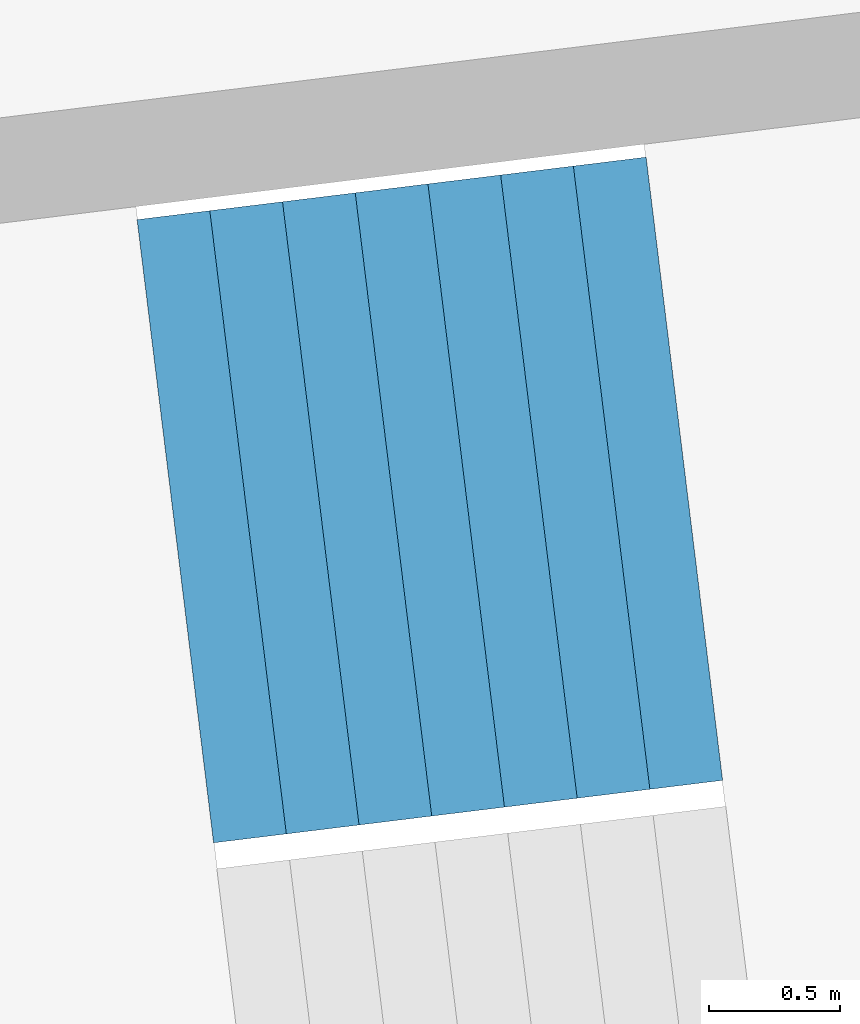
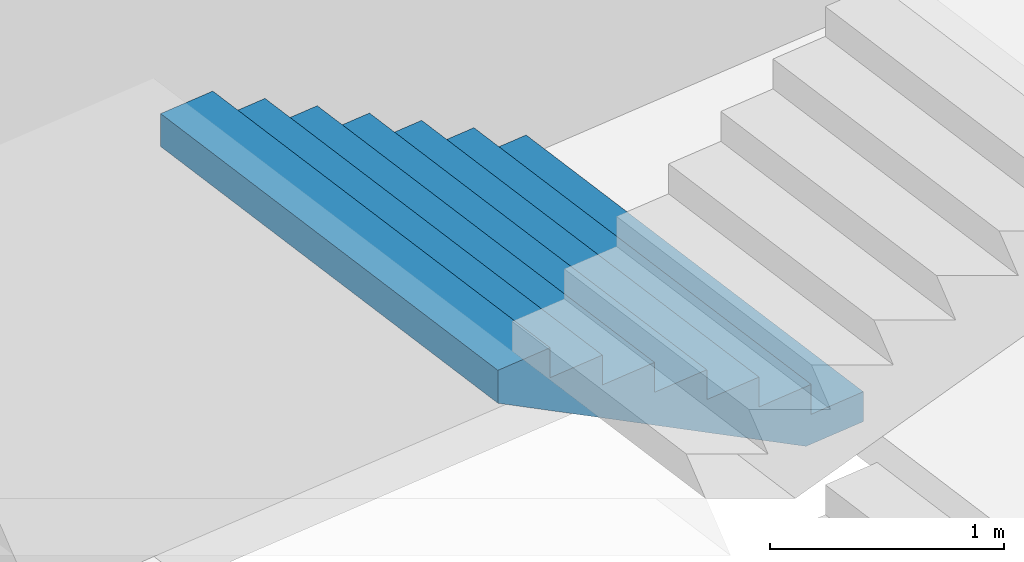
# One storey, part 59 of 73: 1 stair flight, 1 element without a shape of its own.
"""IFC4 building model written with IfcOpenShell, lengths in metres."""

import ifcopenshell
import ifcopenshell.guid

model = None  # the IFC model being written
_history = None  # IfcOwnerHistory: only IFC2X3 demands one
_inside = {}  # id of a spatial element -> (the spatial element, [elements in it])
_under = {}  # id of a project, library or spatial element -> (it, [spatial elements below it])
_declared = {}  # id of a project -> (the project, [libraries it declares])
_typed = {}  # id of a type object -> (the type object, [elements of that type])
_made_of = {}  # id of a material, layer set ... -> (it, [elements and type objects made of it])


def new_model(schema):
    """Start an empty IFC model of exactly this schema.

    Asked for "IFC4X3", IfcOpenShell would pick the latest addendum, in which some entities
    have other attributes; the version numbers below select the first issue.
    IFC2X3 requires an IfcOwnerHistory on every rooted entity: one is made here for all.
    """
    global model, _history
    if schema == "IFC4X3":
        model = ifcopenshell.file(schema_version=(4, 3, 0, 0))
    else:
        model = ifcopenshell.file(schema=schema)
    _inside.clear()
    _under.clear()
    _declared.clear()
    _typed.clear()
    _made_of.clear()
    _history = None
    if model.schema == "IFC2X3":
        org = make("IfcOrganization", Name="unknown")
        user = make(
            "IfcPersonAndOrganization",
            ThePerson=make("IfcPerson", FamilyName="unknown"),
            TheOrganization=org,
        )
        app = make(
            "IfcApplication",
            ApplicationDeveloper=org,
            Version="unknown",
            ApplicationFullName="unknown",
            ApplicationIdentifier="unknown",
        )
        _history = make(
            "IfcOwnerHistory",
            OwningUser=user,
            OwningApplication=app,
            ChangeAction="ADDED",
            CreationDate=0,
        )
    return model


def make(cls, **values):
    """One entity of the class cls with the attributes given. An attribute that is None is left unset."""
    return model.create_entity(
        cls, **{name: value for name, value in values.items() if value is not None}
    )


def rooted(cls, **values):
    """An entity with a GlobalId (a new one), such as an element, a storey or a relation."""
    return make(cls, GlobalId=ifcopenshell.guid.new(), OwnerHistory=_history, **values)


def si_unit(unit_type, name, prefix=None):
    """IfcSIUnit, for example si_unit("LENGTHUNIT", "METRE", prefix="MILLI")."""
    return make("IfcSIUnit", UnitType=unit_type, Prefix=prefix, Name=name)


def assignment(units):
    """IfcUnitAssignment: the units of a project."""
    return None if units is None else make("IfcUnitAssignment", Units=units)


def point(xyz):
    """IfcCartesianPoint."""
    return None if xyz is None else make("IfcCartesianPoint", Coordinates=xyz)


def direction(xyz):
    """IfcDirection."""
    return None if xyz is None else make("IfcDirection", DirectionRatios=xyz)


def frame(location, z_axis=None, x_axis=None):
    """IfcAxis2Placement3D, a coordinate frame: its origin and axes. An axis left out is left unset."""
    return make(
        "IfcAxis2Placement3D",
        Location=point(location),
        Axis=direction(z_axis),
        RefDirection=direction(x_axis),
    )


def origin():
    """The frame at (0, 0, 0) with its axes left unset."""
    return frame((0.0, 0.0, 0.0))


def place(relative_to, where):
    """IfcLocalPlacement: puts the frame where relative to a parent placement (None: the world)."""
    return make(
        "IfcLocalPlacement", PlacementRelTo=relative_to, RelativePlacement=where
    )


def context(
    kind, dimensions, precision=None, world=None, true_north=None, identifier=None
):
    """IfcGeometricRepresentationContext, for example the 3D "Model" context."""
    return make(
        "IfcGeometricRepresentationContext",
        ContextIdentifier=identifier,
        ContextType=kind,
        CoordinateSpaceDimension=dimensions,
        Precision=precision,
        WorldCoordinateSystem=world,
        TrueNorth=true_north,
    )


def subcontext(parent, identifier, kind, view, scale=None):
    """IfcGeometricRepresentationSubContext, for example "Body" below "Model"."""
    return make(
        "IfcGeometricRepresentationSubContext",
        ContextIdentifier=identifier,
        ContextType=kind,
        ParentContext=parent,
        TargetScale=scale,
        TargetView=view,
    )


def project(units=None, contexts=None):
    """IfcProject with its units and contexts."""
    return rooted(
        "IfcProject",
        Name="project",
        RepresentationContexts=contexts,
        UnitsInContext=assignment(units),
    )


def spatial(cls, under=None, at=None, **own):
    """A site, building, storey or space (cls), placed at a placement, below another one or the project."""
    s = rooted(cls, ObjectPlacement=at, **own)
    if under is not None:
        _under.setdefault(under.id(), (under, []))[1].append(s)
    return s


def point_list(points):
    """IfcCartesianPointList2D or 3D."""
    cls = (
        "IfcCartesianPointList2D" if len(points[0]) == 2 else "IfcCartesianPointList3D"
    )
    return make(cls, CoordList=points)


def triangles(points, corners, closed=None, point_numbers=None):
    """IfcTriangulatedFaceSet: each triangle names its three corners, points numbered from 1."""
    return make(
        "IfcTriangulatedFaceSet",
        Coordinates=point_list(points),
        Closed=closed,
        CoordIndex=corners,
        PnIndex=point_numbers,
    )


def shape(context_of_items, identifier, shape_type, items):
    """IfcShapeRepresentation: the items that make up one representation, for example the "Body"."""
    return make(
        "IfcShapeRepresentation",
        ContextOfItems=context_of_items,
        RepresentationIdentifier=identifier,
        RepresentationType=shape_type,
        Items=items,
    )


def material(Name=None, Category=None):
    """IfcMaterial."""
    return make("IfcMaterial", Name=Name, Category=Category)


def made_of(thing, what):
    """Note that an element or type object is made of a material, layer set ...; save() writes the relation."""
    if what is not None:
        _made_of.setdefault(what.id(), (what, []))[1].append(thing)
    return thing


def type_object(cls, material=None, **own):
    """A type object (cls), such as IfcWallType, which elements share."""
    return made_of(rooted(cls, **own), material)


def element(
    cls,
    number,
    at=None,
    inside=None,
    cuts=None,
    type_object=None,
    material=None,
    context=None,
    identifier="Body",
    shape_type=None,
    held_by="IfcProductDefinitionShape",
    body=None,
    shapes=None,
    **own,
):
    """One element of the class cls, such as IfcWall. Its Tag is "e" and its number.

    at: its placement. inside: the storey or other place that contains it. cuts: it is an
    opening in that element (IfcRelVoidsElement). A single representation is given by context,
    identifier, shape_type and body (its items); several are given by shapes. held_by: the class
    of the entity that holds the representations. save() writes the other relations.
    """
    e = rooted(cls, Tag="e%d" % number, ObjectPlacement=at, **own)
    if body is not None:
        shapes = [shape(context, identifier, shape_type, body)]
    if shapes is not None:
        e.Representation = make(held_by, Representations=shapes)
    if inside is not None:
        _inside.setdefault(inside.id(), (inside, []))[1].append(e)
    if cuts is not None:
        rooted(
            "IfcRelVoidsElement", RelatingBuildingElement=cuts, RelatedOpeningElement=e
        )
    if type_object is not None:
        _typed.setdefault(type_object.id(), (type_object, []))[1].append(e)
    return made_of(e, material)


def aggregate(whole, parts):
    """IfcRelAggregates: a whole, such as a stair, and the parts it consists of."""
    return rooted("IfcRelAggregates", RelatingObject=whole, RelatedObjects=parts)


def save(model, path):
    """Write the relations noted so far, then the file.

    IfcRelAggregates (storeys below a building ...), IfcRelContainedInSpatialStructure (elements
    in a storey), IfcRelDefinesByType, IfcRelAssociatesMaterial and IfcRelDeclares: one each for
    every whole, place, type object, material and project.
    """
    for whole, parts in _under.values():
        aggregate(whole, parts)
    for where, things in _inside.values():
        rooted(
            "IfcRelContainedInSpatialStructure",
            RelatedElements=things,
            RelatingStructure=where,
        )
    for kind, things in _typed.values():
        rooted("IfcRelDefinesByType", RelatedObjects=things, RelatingType=kind)
    for what, things in _made_of.values():
        rooted("IfcRelAssociatesMaterial", RelatedObjects=things, RelatingMaterial=what)
    for by, libraries in _declared.values():
        rooted("IfcRelDeclares", RelatingContext=by, RelatedDefinitions=libraries)
    model.write(path)


model = new_model("IFC4")

# Units and contexts
model_context = context("Model", 3, precision=1e-05, world=origin(), true_north=direction((0.0, 1.0)))
body_context = subcontext(model_context, "Body", "Model", "MODEL_VIEW")
ifc_project = project(units=[si_unit("LENGTHUNIT", "METRE"), si_unit("AREAUNIT", "SQUARE_METRE"), si_unit("VOLUMEUNIT", "CUBIC_METRE"), si_unit("PLANEANGLEUNIT", "RADIAN"), si_unit("MASSUNIT", "GRAM", prefix="KILO")], contexts=[model_context])

# Site, building, storey
site_placement = place(None, origin())
site = spatial("IfcSite", under=ifc_project, at=site_placement, CompositionType="ELEMENT")
building_placement = place(site_placement, origin())
building = spatial("IfcBuilding", under=site, at=building_placement, Name="Lantaw Convention Tower", CompositionType="ELEMENT")
storey_placement = place(building_placement, frame((0.0, 0.0, 22.0)))
storey = spatial("IfcBuildingStorey", under=building, at=storey_placement, Name="L03", CompositionType="ELEMENT", Elevation=22.0)

# Stair, stair flight
ifc_material = material(Name="Concrete C35/45", Category="concrete")
stair_type = type_object("IfcStairType", Name="Exit stair 2400 riser 156.25 in 4 flights", PredefinedType="HALF_TURN_STAIR", material=ifc_material)
stair_placement = place(storey_placement, origin())
stair = element("IfcStair", 1, at=stair_placement, inside=storey, type_object=stair_type, Name="Podium exit stair P1 L03", PredefinedType="HALF_TURN_STAIR")
stair_flight_type = type_object("IfcStairFlightType", Name="Stair flight 2400 riser 156.25", PredefinedType="STRAIGHT", material=ifc_material)
stair_flight_placement = place(storey_placement, frame((39.9169921875, 6.16064453125, 1.25), z_axis=(0.0, 0.0, 1.0), x_axis=(-0.992546151641, -0.121869343405, 0.0)))
stair_flight = element("IfcStairFlight", 2, at=stair_flight_placement, type_object=stair_flight_type, Name="P1 flight 2", NumberOfRisers=8, NumberOfTreads=7, PredefinedType="STRAIGHT", RiserHeight=0.15625, TreadLength=0.28, context=body_context, shape_type="Tessellation", body=[
    triangles([(0.0, 1.199951171875, 0.0), (0.0, 1.199951171875, 0.15625), (0.28, 1.199951171875, 0.0), (0.28, 1.199951171875, 0.15625), (0.28, 1.199951171875, 0.3125), (0.3076200632058044, 1.199951171875, 0.0), (0.3076200632058044, 1.199951171875, 0.3125), (0.56, 1.199951171875, 0.14083701830033238), (0.56, 1.199951171875, 0.3125), (0.56, 1.199951171875, 0.46875), (0.8400000000000001, 1.199951171875, 0.29708701830033235), (0.8400000000000001, 1.199951171875, 0.46875), (0.8400000000000001, 1.199951171875, 0.625), (1.12, 1.199951171875, 0.45333701830033235), (1.12, 1.199951171875, 0.625), (1.12, 1.199951171875, 0.78125), (1.4000000000000001, 1.199951171875, 0.6095870183003324), (1.4000000000000001, 1.199951171875, 0.78125), (1.4000000000000001, 1.199951171875, 0.9375), (1.6800000000000002, 1.199951171875, 0.7658370183003324), (1.6800000000000002, 1.199951171875, 0.9375), (1.6800000000000002, 1.199951171875, 1.09375), (1.9600000000000002, 1.199951171875, 0.9220870183003324), (1.9600000000000002, 1.199951171875, 1.09375), (0.0, -1.199951171875, 0.0), (0.0, -1.199951171875, 0.15625), (0.28, -1.199951171875, 0.0), (0.28, -1.199951171875, 0.15625), (0.28, -1.199951171875, 0.3125), (0.3076200632058044, -1.199951171875, 0.0), (0.3076200632058044, -1.199951171875, 0.3125), (0.56, -1.199951171875, 0.14083701830033238), (0.56, -1.199951171875, 0.3125), (0.56, -1.199951171875, 0.46875), (0.8400000000000001, -1.199951171875, 0.29708701830033235), (0.8400000000000001, -1.199951171875, 0.46875), (0.8400000000000001, -1.199951171875, 0.625), (1.12, -1.199951171875, 0.45333701830033235), (1.12, -1.199951171875, 0.625), (1.12, -1.199951171875, 0.78125), (1.4000000000000001, -1.199951171875, 0.6095870183003324), (1.4000000000000001, -1.199951171875, 0.78125), (1.4000000000000001, -1.199951171875, 0.9375), (1.6800000000000002, -1.199951171875, 0.7658370183003324), (1.6800000000000002, -1.199951171875, 0.9375), (1.6800000000000002, -1.199951171875, 1.09375), (1.9600000000000002, -1.199951171875, 0.9220870183003324), (1.9600000000000002, -1.199951171875, 1.09375), (0.0, 0.239990234375, 0.15625), (0.0, 0.239990234375, 0.0), (0.0, 0.1919921875, 0.15625), (0.0, 0.1919921875, 0.0), (0.0, 0.143994140625, 0.15625), (0.0, 0.143994140625, 0.0), (0.0, 0.09599609375, 0.15625), (0.0, 0.09599609375, 0.0), (0.0, 0.047998046875, 0.15625), (0.0, 0.047998046875, 0.0), (0.0, 0.0, 0.15625), (0.0, 0.0, 0.0), (0.0, -0.047998046875, 0.15625), (0.0, -0.047998046875, 0.0), (0.0, -0.09599609375, 0.15625), (0.0, -0.09599609375, 0.0), (0.0, -0.143994140625, 0.15625), (0.0, -0.143994140625, 0.0), (0.0, -0.1919921875, 0.15625), (0.0, -0.1919921875, 0.0), (0.0, -0.239990234375, 0.15625), (0.0, -0.239990234375, 0.0), (0.28, 0.239990234375, 0.3125), (0.28, 0.239990234375, 0.15625), (0.28, 0.1919921875, 0.3125), (0.28, 0.1919921875, 0.15625), (0.28, 0.143994140625, 0.3125), (0.28, 0.143994140625, 0.15625), (0.28, 0.09599609375, 0.3125), (0.28, 0.09599609375, 0.15625), (0.28, 0.047998046875, 0.3125), (0.28, 0.047998046875, 0.15625), (0.28, 0.0, 0.3125), (0.28, 0.0, 0.15625), (0.28, -0.047998046875, 0.3125), (0.28, -0.047998046875, 0.15625), (0.28, -0.09599609375, 0.3125), (0.28, -0.09599609375, 0.15625), (0.28, -0.143994140625, 0.3125), (0.28, -0.143994140625, 0.15625), (0.28, -0.1919921875, 0.3125), (0.28, -0.1919921875, 0.15625), (0.28, -0.239990234375, 0.3125), (0.28, -0.239990234375, 0.15625), (0.56, 0.239990234375, 0.46875), (0.56, 0.239990234375, 0.3125), (0.56, 0.1919921875, 0.46875), (0.56, 0.1919921875, 0.3125), (0.56, 0.143994140625, 0.46875), (0.56, 0.143994140625, 0.3125), (0.56, 0.09599609375, 0.46875), (0.56, 0.09599609375, 0.3125), (0.56, 0.047998046875, 0.46875), (0.56, 0.047998046875, 0.3125), (0.56, 0.0, 0.46875), (0.56, 0.0, 0.3125), (0.56, -0.047998046875, 0.46875), (0.56, -0.047998046875, 0.3125), (0.56, -0.09599609375, 0.46875), (0.56, -0.09599609375, 0.3125), (0.56, -0.143994140625, 0.46875), (0.56, -0.143994140625, 0.3125), (0.56, -0.1919921875, 0.46875), (0.56, -0.1919921875, 0.3125), (0.56, -0.239990234375, 0.46875), (0.56, -0.239990234375, 0.3125), (0.8400000000000001, 0.239990234375, 0.625), (0.8400000000000001, 0.239990234375, 0.46875), (0.8400000000000001, 0.1919921875, 0.625), (0.8400000000000001, 0.1919921875, 0.46875), (0.8400000000000001, 0.143994140625, 0.625), (0.8400000000000001, 0.143994140625, 0.46875), (0.8400000000000001, 0.09599609375, 0.625), (0.8400000000000001, 0.09599609375, 0.46875), (0.8400000000000001, 0.047998046875, 0.625), (0.8400000000000001, 0.047998046875, 0.46875), (0.8400000000000001, 0.0, 0.625), (0.8400000000000001, 0.0, 0.46875), (0.8400000000000001, -0.047998046875, 0.625), (0.8400000000000001, -0.047998046875, 0.46875), (0.8400000000000001, -0.09599609375, 0.625), (0.8400000000000001, -0.09599609375, 0.46875), (0.8400000000000001, -0.143994140625, 0.625), (0.8400000000000001, -0.143994140625, 0.46875), (0.8400000000000001, -0.1919921875, 0.625), (0.8400000000000001, -0.1919921875, 0.46875), (0.8400000000000001, -0.239990234375, 0.625), (0.8400000000000001, -0.239990234375, 0.46875), (1.12, 0.239990234375, 0.78125), (1.12, 0.239990234375, 0.625), (1.12, 0.1919921875, 0.78125), (1.12, 0.1919921875, 0.625), (1.12, 0.143994140625, 0.78125), (1.12, 0.143994140625, 0.625), (1.12, 0.09599609375, 0.78125), (1.12, 0.09599609375, 0.625), (1.12, 0.047998046875, 0.78125), (1.12, 0.047998046875, 0.625), (1.12, 0.0, 0.78125), (1.12, 0.0, 0.625), (1.12, -0.047998046875, 0.78125), (1.12, -0.047998046875, 0.625), (1.12, -0.09599609375, 0.78125), (1.12, -0.09599609375, 0.625), (1.12, -0.143994140625, 0.78125), (1.12, -0.143994140625, 0.625), (1.12, -0.1919921875, 0.78125), (1.12, -0.1919921875, 0.625), (1.12, -0.239990234375, 0.78125), (1.12, -0.239990234375, 0.625), (1.4000000000000001, 0.239990234375, 0.9375), (1.4000000000000001, 0.239990234375, 0.78125), (1.4000000000000001, 0.1919921875, 0.9375), (1.4000000000000001, 0.1919921875, 0.78125), (1.4000000000000001, 0.143994140625, 0.9375), (1.4000000000000001, 0.143994140625, 0.78125), (1.4000000000000001, 0.09599609375, 0.9375), (1.4000000000000001, 0.09599609375, 0.78125), (1.4000000000000001, 0.047998046875, 0.9375), (1.4000000000000001, 0.047998046875, 0.78125), (1.4000000000000001, 0.0, 0.9375), (1.4000000000000001, 0.0, 0.78125), (1.4000000000000001, -0.047998046875, 0.9375), (1.4000000000000001, -0.047998046875, 0.78125), (1.4000000000000001, -0.09599609375, 0.9375), (1.4000000000000001, -0.09599609375, 0.78125), (1.4000000000000001, -0.143994140625, 0.9375), (1.4000000000000001, -0.143994140625, 0.78125), (1.4000000000000001, -0.1919921875, 0.9375), (1.4000000000000001, -0.1919921875, 0.78125), (1.4000000000000001, -0.239990234375, 0.9375), (1.4000000000000001, -0.239990234375, 0.78125), (1.6800000000000002, 0.239990234375, 1.09375), (1.6800000000000002, 0.239990234375, 0.9375), (1.6800000000000002, 0.1919921875, 1.09375), (1.6800000000000002, 0.1919921875, 0.9375), (1.6800000000000002, 0.143994140625, 1.09375), (1.6800000000000002, 0.143994140625, 0.9375), (1.6800000000000002, 0.09599609375, 1.09375), (1.6800000000000002, 0.09599609375, 0.9375), (1.6800000000000002, 0.047998046875, 1.09375), (1.6800000000000002, 0.047998046875, 0.9375), (1.6800000000000002, 0.0, 1.09375), (1.6800000000000002, 0.0, 0.9375), (1.6800000000000002, -0.047998046875, 1.09375), (1.6800000000000002, -0.047998046875, 0.9375), (1.6800000000000002, -0.09599609375, 1.09375), (1.6800000000000002, -0.09599609375, 0.9375), (1.6800000000000002, -0.143994140625, 1.09375), (1.6800000000000002, -0.143994140625, 0.9375), (1.6800000000000002, -0.1919921875, 1.09375), (1.6800000000000002, -0.1919921875, 0.9375), (1.6800000000000002, -0.239990234375, 1.09375), (1.6800000000000002, -0.239990234375, 0.9375), (0.3076200632058044, 0.239990234375, 0.3125), (0.3076200632058044, 0.1919921875, 0.3125), (0.3076200632058044, 0.143994140625, 0.3125), (0.3076200632058044, 0.09599609375, 0.3125), (0.3076200632058044, 0.047998046875, 0.3125), (0.3076200632058044, 0.0, 0.3125), (0.3076200632058044, -0.047998046875, 0.3125), (0.3076200632058044, -0.09599609375, 0.3125), (0.3076200632058044, -0.143994140625, 0.3125), (0.3076200632058044, -0.1919921875, 0.3125), (0.3076200632058044, -0.239990234375, 0.3125), (1.9600000000000002, 0.239990234375, 1.09375), (1.9600000000000002, 0.1919921875, 1.09375), (1.9600000000000002, 0.143994140625, 1.09375), (1.9600000000000002, 0.09599609375, 1.09375), (1.9600000000000002, 0.047998046875, 1.09375), (1.9600000000000002, 0.0, 1.09375), (1.9600000000000002, -0.047998046875, 1.09375), (1.9600000000000002, -0.09599609375, 1.09375), (1.9600000000000002, -0.143994140625, 1.09375), (1.9600000000000002, -0.1919921875, 1.09375), (1.9600000000000002, -0.239990234375, 1.09375), (1.9600000000000002, 0.239990234375, 0.9220870183003324), (1.9600000000000002, 0.1919921875, 0.9220870183003324), (1.9600000000000002, 0.143994140625, 0.9220870183003324), (1.9600000000000002, 0.09599609375, 0.9220870183003324), (1.9600000000000002, 0.047998046875, 0.9220870183003324), (1.9600000000000002, 0.0, 0.9220870183003324), (1.9600000000000002, -0.047998046875, 0.9220870183003324), (1.9600000000000002, -0.09599609375, 0.9220870183003324), (1.9600000000000002, -0.143994140625, 0.9220870183003324), (1.9600000000000002, -0.1919921875, 0.9220870183003324), (1.9600000000000002, -0.239990234375, 0.9220870183003324), (1.6800000000000002, 0.239990234375, 0.7658370183003324), (1.6800000000000002, 0.1919921875, 0.7658370183003324), (1.6800000000000002, 0.143994140625, 0.7658370183003324), (1.6800000000000002, 0.09599609375, 0.7658370183003324), (1.6800000000000002, 0.047998046875, 0.7658370183003324), (1.6800000000000002, 0.0, 0.7658370183003324), (1.6800000000000002, -0.047998046875, 0.7658370183003324), (1.6800000000000002, -0.09599609375, 0.7658370183003324), (1.6800000000000002, -0.143994140625, 0.7658370183003324), (1.6800000000000002, -0.1919921875, 0.7658370183003324), (1.6800000000000002, -0.239990234375, 0.7658370183003324), (1.4000000000000001, 0.239990234375, 0.6095870183003324), (1.4000000000000001, 0.1919921875, 0.6095870183003324), (1.4000000000000001, 0.143994140625, 0.6095870183003324), (1.4000000000000001, 0.09599609375, 0.6095870183003324), (1.4000000000000001, 0.047998046875, 0.6095870183003324), (1.4000000000000001, 0.0, 0.6095870183003324), (1.4000000000000001, -0.047998046875, 0.6095870183003324), (1.4000000000000001, -0.09599609375, 0.6095870183003324), (1.4000000000000001, -0.143994140625, 0.6095870183003324), (1.4000000000000001, -0.1919921875, 0.6095870183003324), (1.4000000000000001, -0.239990234375, 0.6095870183003324), (1.12, 0.239990234375, 0.45333701830033235), (1.12, 0.1919921875, 0.45333701830033235), (1.12, 0.143994140625, 0.45333701830033235), (1.12, 0.09599609375, 0.45333701830033235), (1.12, 0.047998046875, 0.45333701830033235), (1.12, 0.0, 0.45333701830033235), (1.12, -0.047998046875, 0.45333701830033235), (1.12, -0.09599609375, 0.45333701830033235), (1.12, -0.143994140625, 0.45333701830033235), (1.12, -0.1919921875, 0.45333701830033235), (1.12, -0.239990234375, 0.45333701830033235), (0.8400000000000001, 0.239990234375, 0.29708701830033235), (0.8400000000000001, 0.1919921875, 0.29708701830033235), (0.8400000000000001, 0.143994140625, 0.29708701830033235), (0.8400000000000001, 0.09599609375, 0.29708701830033235), (0.8400000000000001, 0.047998046875, 0.29708701830033235), (0.8400000000000001, 0.0, 0.29708701830033235), (0.8400000000000001, -0.047998046875, 0.29708701830033235), (0.8400000000000001, -0.09599609375, 0.29708701830033235), (0.8400000000000001, -0.143994140625, 0.29708701830033235), (0.8400000000000001, -0.1919921875, 0.29708701830033235), (0.8400000000000001, -0.239990234375, 0.29708701830033235), (0.56, 0.239990234375, 0.14083701830033238), (0.56, 0.1919921875, 0.14083701830033238), (0.56, 0.143994140625, 0.14083701830033238), (0.56, 0.09599609375, 0.14083701830033238), (0.56, 0.047998046875, 0.14083701830033238), (0.56, 0.0, 0.14083701830033238), (0.56, -0.047998046875, 0.14083701830033238), (0.56, -0.09599609375, 0.14083701830033238), (0.56, -0.143994140625, 0.14083701830033238), (0.56, -0.1919921875, 0.14083701830033238), (0.56, -0.239990234375, 0.14083701830033238), (0.3076200632058044, 0.239990234375, 0.0), (0.3076200632058044, 0.1919921875, 0.0), (0.3076200632058044, 0.143994140625, 0.0), (0.3076200632058044, 0.09599609375, 0.0), (0.3076200632058044, 0.047998046875, 0.0), (0.3076200632058044, 0.0, 0.0), (0.3076200632058044, -0.047998046875, 0.0), (0.3076200632058044, -0.09599609375, 0.0), (0.3076200632058044, -0.143994140625, 0.0), (0.3076200632058044, -0.1919921875, 0.0), (0.3076200632058044, -0.239990234375, 0.0), (0.28, 0.239990234375, 0.0), (0.28, 0.1919921875, 0.0), (0.28, 0.143994140625, 0.0), (0.28, 0.09599609375, 0.0), (0.28, 0.047998046875, 0.0), (0.28, 0.0, 0.0), (0.28, -0.047998046875, 0.0), (0.28, -0.09599609375, 0.0), (0.28, -0.143994140625, 0.0), (0.28, -0.1919921875, 0.0), (0.28, -0.239990234375, 0.0)], [[1, 4, 3], [1, 2, 4], [3, 4, 6], [4, 7, 6], [4, 5, 7], [6, 9, 8], [6, 7, 9], [8, 9, 11], [9, 12, 11], [9, 10, 12], [11, 12, 14], [12, 15, 14], [12, 13, 15], [14, 15, 17], [15, 18, 17], [15, 16, 18], [17, 18, 20], [18, 21, 20], [18, 19, 21], [20, 21, 23], [21, 24, 23], [21, 22, 24], [25, 27, 28], [25, 28, 26], [27, 30, 28], [28, 30, 31], [28, 31, 29], [30, 32, 33], [30, 33, 31], [32, 35, 33], [33, 35, 36], [33, 36, 34], [35, 38, 36], [36, 38, 39], [36, 39, 37], [38, 41, 39], [39, 41, 42], [39, 42, 40], [41, 44, 42], [42, 44, 45], [42, 45, 43], [44, 47, 45], [45, 47, 48], [45, 48, 46], [1, 49, 2], [1, 50, 49], [50, 51, 49], [50, 52, 51], [52, 53, 51], [52, 54, 53], [54, 55, 53], [54, 56, 55], [56, 57, 55], [56, 58, 57], [58, 59, 57], [58, 60, 59], [60, 61, 59], [60, 62, 61], [62, 63, 61], [62, 64, 63], [64, 65, 63], [64, 66, 65], [66, 67, 65], [66, 68, 67], [68, 69, 67], [68, 70, 69], [70, 26, 69], [70, 25, 26], [4, 71, 5], [4, 72, 71], [72, 73, 71], [72, 74, 73], [74, 75, 73], [74, 76, 75], [76, 77, 75], [76, 78, 77], [78, 79, 77], [78, 80, 79], [80, 81, 79], [80, 82, 81], [82, 83, 81], [82, 84, 83], [84, 85, 83], [84, 86, 85], [86, 87, 85], [86, 88, 87], [88, 89, 87], [88, 90, 89], [90, 91, 89], [90, 92, 91], [92, 29, 91], [92, 28, 29], [9, 93, 10], [9, 94, 93], [94, 95, 93], [94, 96, 95], [96, 97, 95], [96, 98, 97], [98, 99, 97], [98, 100, 99], [100, 101, 99], [100, 102, 101], [102, 103, 101], [102, 104, 103], [104, 105, 103], [104, 106, 105], [106, 107, 105], [106, 108, 107], [108, 109, 107], [108, 110, 109], [110, 111, 109], [110, 112, 111], [112, 113, 111], [112, 114, 113], [114, 34, 113], [114, 33, 34], [12, 115, 13], [12, 116, 115], [116, 117, 115], [116, 118, 117], [118, 119, 117], [118, 120, 119], [120, 121, 119], [120, 122, 121], [122, 123, 121], [122, 124, 123], [124, 125, 123], [124, 126, 125], [126, 127, 125], [126, 128, 127], [128, 129, 127], [128, 130, 129], [130, 131, 129], [130, 132, 131], [132, 133, 131], [132, 134, 133], [134, 135, 133], [134, 136, 135], [136, 37, 135], [136, 36, 37], [15, 137, 16], [15, 138, 137], [138, 139, 137], [138, 140, 139], [140, 141, 139], [140, 142, 141], [142, 143, 141], [142, 144, 143], [144, 145, 143], [144, 146, 145], [146, 147, 145], [146, 148, 147], [148, 149, 147], [148, 150, 149], [150, 151, 149], [150, 152, 151], [152, 153, 151], [152, 154, 153], [154, 155, 153], [154, 156, 155], [156, 157, 155], [156, 158, 157], [158, 40, 157], [158, 39, 40], [18, 159, 19], [18, 160, 159], [160, 161, 159], [160, 162, 161], [162, 163, 161], [162, 164, 163], [164, 165, 163], [164, 166, 165], [166, 167, 165], [166, 168, 167], [168, 169, 167], [168, 170, 169], [170, 171, 169], [170, 172, 171], [172, 173, 171], [172, 174, 173], [174, 175, 173], [174, 176, 175], [176, 177, 175], [176, 178, 177], [178, 179, 177], [178, 180, 179], [180, 43, 179], [180, 42, 43], [21, 181, 22], [21, 182, 181], [182, 183, 181], [182, 184, 183], [184, 185, 183], [184, 186, 185], [186, 187, 185], [186, 188, 187], [188, 189, 187], [188, 190, 189], [190, 191, 189], [190, 192, 191], [192, 193, 191], [192, 194, 193], [194, 195, 193], [194, 196, 195], [196, 197, 195], [196, 198, 197], [198, 199, 197], [198, 200, 199], [200, 201, 199], [200, 202, 201], [202, 46, 201], [202, 45, 46], [2, 72, 4], [2, 49, 72], [49, 74, 72], [49, 51, 74], [51, 76, 74], [51, 53, 76], [53, 78, 76], [53, 55, 78], [55, 80, 78], [55, 57, 80], [57, 82, 80], [57, 59, 82], [59, 84, 82], [59, 61, 84], [61, 86, 84], [61, 63, 86], [63, 88, 86], [63, 65, 88], [65, 90, 88], [65, 67, 90], [67, 92, 90], [67, 69, 92], [69, 28, 92], [69, 26, 28], [5, 203, 7], [5, 71, 203], [71, 204, 203], [71, 73, 204], [73, 205, 204], [73, 75, 205], [75, 206, 205], [75, 77, 206], [77, 207, 206], [77, 79, 207], [79, 208, 207], [79, 81, 208], [81, 209, 208], [81, 83, 209], [83, 210, 209], [83, 85, 210], [85, 211, 210], [85, 87, 211], [87, 212, 211], [87, 89, 212], [89, 213, 212], [89, 91, 213], [91, 31, 213], [91, 29, 31], [7, 94, 9], [7, 203, 94], [203, 96, 94], [203, 204, 96], [204, 98, 96], [204, 205, 98], [205, 100, 98], [205, 206, 100], [206, 102, 100], [206, 207, 102], [207, 104, 102], [207, 208, 104], [208, 106, 104], [208, 209, 106], [209, 108, 106], [209, 210, 108], [210, 110, 108], [210, 211, 110], [211, 112, 110], [211, 212, 112], [212, 114, 112], [212, 213, 114], [213, 33, 114], [213, 31, 33], [10, 116, 12], [10, 93, 116], [93, 118, 116], [93, 95, 118], [95, 120, 118], [95, 97, 120], [97, 122, 120], [97, 99, 122], [99, 124, 122], [99, 101, 124], [101, 126, 124], [101, 103, 126], [103, 128, 126], [103, 105, 128], [105, 130, 128], [105, 107, 130], [107, 132, 130], [107, 109, 132], [109, 134, 132], [109, 111, 134], [111, 136, 134], [111, 113, 136], [113, 36, 136], [113, 34, 36], [13, 138, 15], [13, 115, 138], [115, 140, 138], [115, 117, 140], [117, 142, 140], [117, 119, 142], [119, 144, 142], [119, 121, 144], [121, 146, 144], [121, 123, 146], [123, 148, 146], [123, 125, 148], [125, 150, 148], [125, 127, 150], [127, 152, 150], [127, 129, 152], [129, 154, 152], [129, 131, 154], [131, 156, 154], [131, 133, 156], [133, 158, 156], [133, 135, 158], [135, 39, 158], [135, 37, 39], [16, 160, 18], [16, 137, 160], [137, 162, 160], [137, 139, 162], [139, 164, 162], [139, 141, 164], [141, 166, 164], [141, 143, 166], [143, 168, 166], [143, 145, 168], [145, 170, 168], [145, 147, 170], [147, 172, 170], [147, 149, 172], [149, 174, 172], [149, 151, 174], [151, 176, 174], [151, 153, 176], [153, 178, 176], [153, 155, 178], [155, 180, 178], [155, 157, 180], [157, 42, 180], [157, 40, 42], [19, 182, 21], [19, 159, 182], [159, 184, 182], [159, 161, 184], [161, 186, 184], [161, 163, 186], [163, 188, 186], [163, 165, 188], [165, 190, 188], [165, 167, 190], [167, 192, 190], [167, 169, 192], [169, 194, 192], [169, 171, 194], [171, 196, 194], [171, 173, 196], [173, 198, 196], [173, 175, 198], [175, 200, 198], [175, 177, 200], [177, 202, 200], [177, 179, 202], [179, 45, 202], [179, 43, 45], [22, 214, 24], [22, 181, 214], [181, 215, 214], [181, 183, 215], [183, 216, 215], [183, 185, 216], [185, 217, 216], [185, 187, 217], [187, 218, 217], [187, 189, 218], [189, 219, 218], [189, 191, 219], [191, 220, 219], [191, 193, 220], [193, 221, 220], [193, 195, 221], [195, 222, 221], [195, 197, 222], [197, 223, 222], [197, 199, 223], [199, 224, 223], [199, 201, 224], [201, 48, 224], [201, 46, 48], [24, 225, 23], [24, 214, 225], [214, 226, 225], [214, 215, 226], [215, 227, 226], [215, 216, 227], [216, 228, 227], [216, 217, 228], [217, 229, 228], [217, 218, 229], [218, 230, 229], [218, 219, 230], [219, 231, 230], [219, 220, 231], [220, 232, 231], [220, 221, 232], [221, 233, 232], [221, 222, 233], [222, 234, 233], [222, 223, 234], [223, 235, 234], [223, 224, 235], [224, 47, 235], [224, 48, 47], [23, 236, 20], [23, 225, 236], [225, 237, 236], [225, 226, 237], [226, 238, 237], [226, 227, 238], [227, 239, 238], [227, 228, 239], [228, 240, 239], [228, 229, 240], [229, 241, 240], [229, 230, 241], [230, 242, 241], [230, 231, 242], [231, 243, 242], [231, 232, 243], [232, 244, 243], [232, 233, 244], [233, 245, 244], [233, 234, 245], [234, 246, 245], [234, 235, 246], [235, 44, 246], [235, 47, 44], [20, 247, 17], [20, 236, 247], [236, 248, 247], [236, 237, 248], [237, 249, 248], [237, 238, 249], [238, 250, 249], [238, 239, 250], [239, 251, 250], [239, 240, 251], [240, 252, 251], [240, 241, 252], [241, 253, 252], [241, 242, 253], [242, 254, 253], [242, 243, 254], [243, 255, 254], [243, 244, 255], [244, 256, 255], [244, 245, 256], [245, 257, 256], [245, 246, 257], [246, 41, 257], [246, 44, 41], [17, 258, 14], [17, 247, 258], [247, 259, 258], [247, 248, 259], [248, 260, 259], [248, 249, 260], [249, 261, 260], [249, 250, 261], [250, 262, 261], [250, 251, 262], [251, 263, 262], [251, 252, 263], [252, 264, 263], [252, 253, 264], [253, 265, 264], [253, 254, 265], [254, 266, 265], [254, 255, 266], [255, 267, 266], [255, 256, 267], [256, 268, 267], [256, 257, 268], [257, 38, 268], [257, 41, 38], [14, 269, 11], [14, 258, 269], [258, 270, 269], [258, 259, 270], [259, 271, 270], [259, 260, 271], [260, 272, 271], [260, 261, 272], [261, 273, 272], [261, 262, 273], [262, 274, 273], [262, 263, 274], [263, 275, 274], [263, 264, 275], [264, 276, 275], [264, 265, 276], [265, 277, 276], [265, 266, 277], [266, 278, 277], [266, 267, 278], [267, 279, 278], [267, 268, 279], [268, 35, 279], [268, 38, 35], [11, 280, 8], [11, 269, 280], [269, 281, 280], [269, 270, 281], [270, 282, 281], [270, 271, 282], [271, 283, 282], [271, 272, 283], [272, 284, 283], [272, 273, 284], [273, 285, 284], [273, 274, 285], [274, 286, 285], [274, 275, 286], [275, 287, 286], [275, 276, 287], [276, 288, 287], [276, 277, 288], [277, 289, 288], [277, 278, 289], [278, 290, 289], [278, 279, 290], [279, 32, 290], [279, 35, 32], [8, 291, 6], [8, 280, 291], [280, 292, 291], [280, 281, 292], [281, 293, 292], [281, 282, 293], [282, 294, 293], [282, 283, 294], [283, 295, 294], [283, 284, 295], [284, 296, 295], [284, 285, 296], [285, 297, 296], [285, 286, 297], [286, 298, 297], [286, 287, 298], [287, 299, 298], [287, 288, 299], [288, 300, 299], [288, 289, 300], [289, 301, 300], [289, 290, 301], [290, 30, 301], [290, 32, 30], [6, 302, 3], [6, 291, 302], [291, 303, 302], [291, 292, 303], [292, 304, 303], [292, 293, 304], [293, 305, 304], [293, 294, 305], [294, 306, 305], [294, 295, 306], [295, 307, 306], [295, 296, 307], [296, 308, 307], [296, 297, 308], [297, 309, 308], [297, 298, 309], [298, 310, 309], [298, 299, 310], [299, 311, 310], [299, 300, 311], [300, 312, 311], [300, 301, 312], [301, 27, 312], [301, 30, 27], [3, 50, 1], [3, 302, 50], [302, 52, 50], [302, 303, 52], [303, 54, 52], [303, 304, 54], [304, 56, 54], [304, 305, 56], [305, 58, 56], [305, 306, 58], [306, 60, 58], [306, 307, 60], [307, 62, 60], [307, 308, 62], [308, 64, 62], [308, 309, 64], [309, 66, 64], [309, 310, 66], [310, 68, 66], [310, 311, 68], [311, 70, 68], [311, 312, 70], [312, 25, 70], [312, 27, 25]], closed=True),
])
aggregate(stair, [stair_flight])

save(model, "model.ifc")
